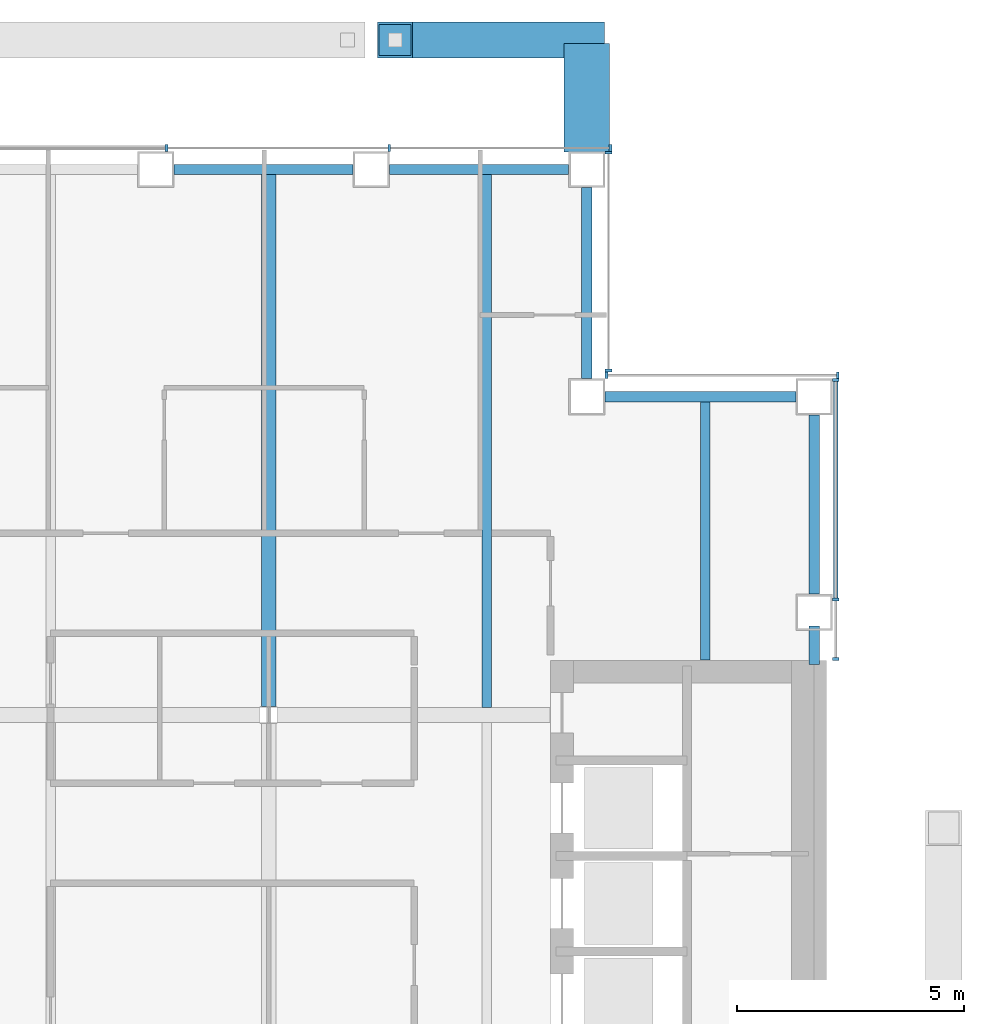
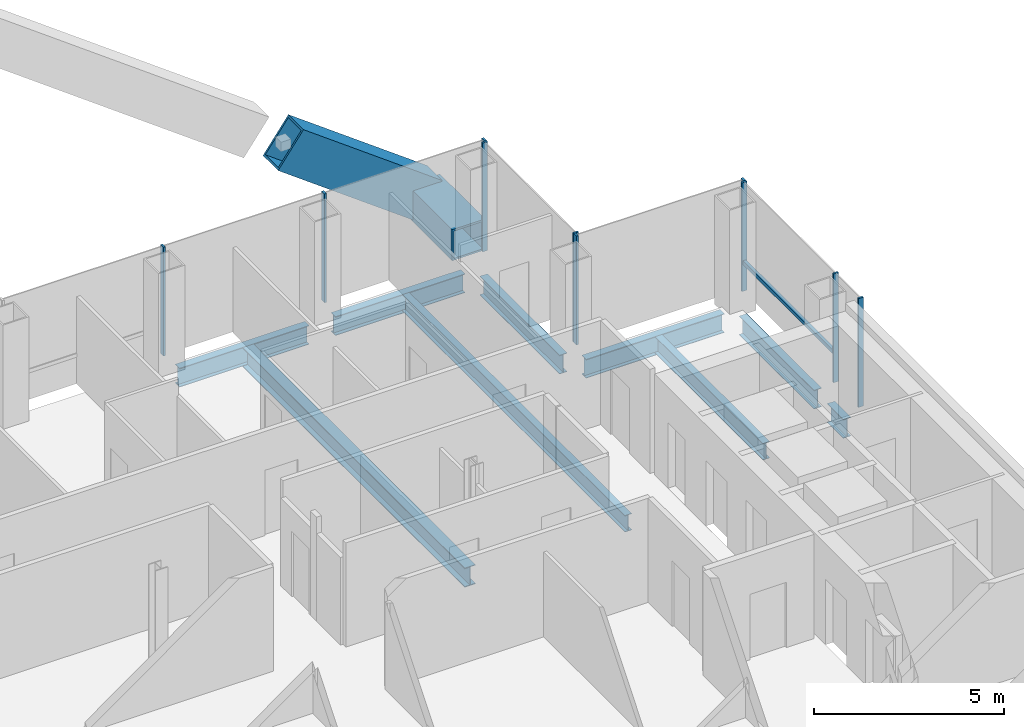
# One storey, part 10 of 18: 12 members, 10 beams, 4 elements without a shape of their own.
"""IFC4 building model written with IfcOpenShell, lengths in metres."""

from ifc_helpers import new_model, si_unit, direction, frame, origin, origin_2d, place, context, subcontext, project, spatial, rectangle, hollow_rectangle, i_section, extrude, material, material_profile, profile_set, type_object, element, aggregate, save


model = new_model("IFC4")

# Units and contexts
model_context = context("Model", 3, precision=1e-05, world=origin(), true_north=direction((0.0, 1.0)))
body_context = subcontext(model_context, "Body", "Model", "MODEL_VIEW")
ifc_project = project(units=[si_unit("LENGTHUNIT", "METRE"), si_unit("AREAUNIT", "SQUARE_METRE"), si_unit("VOLUMEUNIT", "CUBIC_METRE"), si_unit("PLANEANGLEUNIT", "RADIAN"), si_unit("MASSUNIT", "GRAM", prefix="KILO")], contexts=[model_context])

# Site, building, storey
site_placement = place(None, origin())
site = spatial("IfcSite", under=ifc_project, at=site_placement, CompositionType="ELEMENT")
building_placement = place(site_placement, origin())
building = spatial("IfcBuilding", under=site, at=building_placement, Name="Cobrizo Arcos Hotel Tower", CompositionType="ELEMENT")
storey_placement = place(building_placement, frame((0.0, 0.0, 158.5)))
storey = spatial("IfcBuildingStorey", under=building, at=storey_placement, Name="L40", CompositionType="ELEMENT", Elevation=158.5)

# Beam
ifc_material_1 = material(Name="Steel ASTM A572 Grade 50", Category="steel")
ifc_material_profile_1 = material_profile(ifc_material_1, hollow_rectangle(XDim=1.0, YDim=1.0, WallThickness=0.06005859375, at=origin_2d()), Name="BOX 1000X1000X60")
ifc_profile_set_1 = profile_set([ifc_material_profile_1], Name="Steel ASTM A572 Grade 50")
beam_type_1 = type_object("IfcBeamType", Name="BOX 1000X1000X60 brace connector strut", PredefinedType="BEAM", material=ifc_profile_set_1)
beam_1_placement = place(storey_placement, frame((16.60009765625, 21.989990234375, 0.5), z_axis=(0.0, 1.0, 0.0), x_axis=(-1.0, 0.0, 0.0)))
element("IfcBeam", 1, at=beam_1_placement, inside=storey, type_object=beam_type_1, Name="Perimeter brace stub BS1, zone Z3, north face, offset +16.60 m, L40", PredefinedType="BEAM", context=body_context, shape_type="SweptSolid", body=[
    extrude(hollow_rectangle(XDim=1.0, YDim=1.0, WallThickness=0.06005859375, at=origin_2d()), origin(), (0.0, 0.0, 1.0), 2.380126953125),
])

# Member
ifc_material_profile_2 = material_profile(ifc_material_1, hollow_rectangle(XDim=0.800048828125, YDim=1.300048828125, WallThickness=0.06005859375, at=origin_2d()), Name="BOX 800X1300X60")
ifc_profile_set_2 = profile_set([ifc_material_profile_2], Name="Steel ASTM A572 Grade 50")
member_type_1 = type_object("IfcMemberType", Name="BOX 800X1300X60 perimeter brace", PredefinedType="BRACE", material=ifc_profile_set_2)
member_1_placement = place(storey_placement, frame((16.60009765625, 24.449951171875, 0.5), z_axis=(-0.804623858684, 0.0, 0.593784848271), x_axis=(0.0, -1.0, 0.0)))
element("IfcMember", 2, at=member_1_placement, inside=storey, type_object=member_type_1, Name="Perimeter brace PBR3, zone Z3, north face, no. 08", PredefinedType="BRACE", context=body_context, shape_type="SweptSolid", body=[
    extrude(hollow_rectangle(XDim=0.800048828125, YDim=1.300048828125, WallThickness=0.06005859375, at=origin_2d()), origin(), (0.0, 0.0, 1.0), 5.244384765625),
])

# Curtain wall, members
ifc_material_2 = material(Name="Aluminium 6063-T6 anodised bronze", Category="aluminium")
curtain_wall_type = type_object("IfcCurtainWallType", Name="CW-A guest facade", PredefinedType="NOTDEFINED", material=ifc_material_2)
curtain_wall_1_placement = place(storey_placement, origin())
curtain_wall_1 = element("IfcCurtainWall", 3, at=curtain_wall_1_placement, inside=storey, type_object=curtain_wall_type, Name="CW-A L40 E face", PredefinedType="NOTDEFINED")
ifc_material_profile_3 = material_profile(ifc_material_2, rectangle(XDim=0.14990234375, YDim=0.06005859375, at=origin_2d()), Name="CW-A mullion 150x60")
ifc_profile_set_3 = profile_set([ifc_material_profile_3], Name="Aluminium 6063-T6 anodised bronze")
member_type_2 = type_object("IfcMemberType", Name="CW-A mullion 150x60", PredefinedType="MULLION", material=ifc_profile_set_3)
member_2_placement = place(storey_placement, frame((22.074951171875, 10.830078125, 0.0), z_axis=(0.0, 0.0, 1.0), x_axis=(1.0, 0.0, 0.0)))
member_2 = element("IfcMember", 4, at=member_2_placement, type_object=member_type_2, Name="CW-A mullion 1", PredefinedType="MULLION", context=body_context, shape_type="SweptSolid", body=[
    extrude(rectangle(XDim=0.14990234375, YDim=0.06005859375, at=origin_2d()), origin(), (0.0, 0.0, 1.0), 3.5),
])
member_3_placement = place(storey_placement, frame((22.074951171875, 12.142822265625, 0.0), z_axis=(0.0, 0.0, 1.0), x_axis=(1.0, 0.0, 0.0)))
member_3 = element("IfcMember", 5, at=member_3_placement, type_object=member_type_2, Name="CW-A mullion 2", PredefinedType="MULLION", context=body_context, shape_type="SweptSolid", body=[
    extrude(rectangle(XDim=0.14990234375, YDim=0.06005859375, at=origin_2d()), origin(), (0.0, 0.0, 1.0), 3.5),
])
member_4_placement = place(storey_placement, frame((22.074951171875, 16.969970703125, 0.0), z_axis=(0.0, 0.0, 1.0), x_axis=(1.0, 0.0, 0.0)))
member_4 = element("IfcMember", 6, at=member_4_placement, type_object=member_type_2, Name="CW-A mullion 3", PredefinedType="MULLION", context=body_context, shape_type="SweptSolid", body=[
    extrude(rectangle(XDim=0.14990234375, YDim=0.06005859375, at=origin_2d()), origin(), (0.0, 0.0, 1.0), 3.5),
])

curtain_wall_2_placement = place(storey_placement, origin())
curtain_wall_2 = element("IfcCurtainWall", 7, at=curtain_wall_2_placement, inside=storey, type_object=curtain_wall_type, Name="CW-A L40 N face", PredefinedType="NOTDEFINED")
member_5_placement = place(storey_placement, frame((22.1201171875, 17.074951171875, 0.0), z_axis=(0.0, 0.0, 1.0), x_axis=(0.0, 1.0, 0.0)))
member_5 = element("IfcMember", 8, at=member_5_placement, type_object=member_type_2, Name="CW-A mullion 1", PredefinedType="MULLION", context=body_context, shape_type="SweptSolid", body=[
    extrude(rectangle(XDim=0.14990234375, YDim=0.06005859375, at=origin_2d()), origin(), (0.0, 0.0, 1.0), 3.5),
])
member_6_placement = place(storey_placement, frame((17.030029296875, 17.074951171875, 0.0), z_axis=(0.0, 0.0, 1.0), x_axis=(0.0, 1.0, 0.0)))
member_6 = element("IfcMember", 9, at=member_6_placement, type_object=member_type_2, Name="CW-A mullion 2", PredefinedType="MULLION", context=body_context, shape_type="SweptSolid", body=[
    extrude(rectangle(XDim=0.14990234375, YDim=0.06005859375, at=origin_2d()), origin(), (0.0, 0.0, 1.0), 3.5),
])
aggregate(curtain_wall_2, [member_5, member_6])

curtain_wall_3_placement = place(storey_placement, origin())
curtain_wall_3 = element("IfcCurtainWall", 10, at=curtain_wall_3_placement, inside=storey, type_object=curtain_wall_type, Name="CW-A L40 E face", PredefinedType="NOTDEFINED")
member_7_placement = place(storey_placement, frame((17.074951171875, 17.179931640625, 0.0), z_axis=(0.0, 0.0, 1.0), x_axis=(1.0, 0.0, 0.0)))
member_7 = element("IfcMember", 11, at=member_7_placement, type_object=member_type_2, Name="CW-A mullion 1", PredefinedType="MULLION", context=body_context, shape_type="SweptSolid", body=[
    extrude(rectangle(XDim=0.14990234375, YDim=0.06005859375, at=origin_2d()), origin(), (0.0, 0.0, 1.0), 3.5),
])
member_8_placement = place(storey_placement, frame((17.074951171875, 21.969970703125, 0.0), z_axis=(0.0, 0.0, 1.0), x_axis=(1.0, 0.0, 0.0)))
member_8 = element("IfcMember", 12, at=member_8_placement, type_object=member_type_2, Name="CW-A mullion 2", PredefinedType="MULLION", context=body_context, shape_type="SweptSolid", body=[
    extrude(rectangle(XDim=0.14990234375, YDim=0.06005859375, at=origin_2d()), origin(), (0.0, 0.0, 1.0), 3.5),
])
aggregate(curtain_wall_3, [member_7, member_8])

curtain_wall_4_placement = place(storey_placement, origin())
curtain_wall_4 = element("IfcCurtainWall", 13, at=curtain_wall_4_placement, inside=storey, type_object=curtain_wall_type, Name="CW-A L40 N face", PredefinedType="NOTDEFINED")
member_9_placement = place(storey_placement, frame((17.1201171875, 22.074951171875, 0.0), z_axis=(0.0, 0.0, 1.0), x_axis=(0.0, 1.0, 0.0)))
member_9 = element("IfcMember", 14, at=member_9_placement, type_object=member_type_2, Name="CW-A mullion 1", PredefinedType="MULLION", context=body_context, shape_type="SweptSolid", body=[
    extrude(rectangle(XDim=0.14990234375, YDim=0.06005859375, at=origin_2d()), origin(), (0.0, 0.0, 1.0), 3.5),
])
member_10_placement = place(storey_placement, frame((12.25, 22.074951171875, 0.0), z_axis=(0.0, 0.0, 1.0), x_axis=(0.0, 1.0, 0.0)))
member_10 = element("IfcMember", 15, at=member_10_placement, type_object=member_type_2, Name="CW-A mullion 2", PredefinedType="MULLION", context=body_context, shape_type="SweptSolid", body=[
    extrude(rectangle(XDim=0.14990234375, YDim=0.06005859375, at=origin_2d()), origin(), (0.0, 0.0, 1.0), 3.5),
])
member_11_placement = place(storey_placement, frame((7.35009765625, 22.074951171875, 0.0), z_axis=(0.0, 0.0, 1.0), x_axis=(0.0, 1.0, 0.0)))
member_11 = element("IfcMember", 16, at=member_11_placement, type_object=member_type_2, Name="CW-A mullion 3", PredefinedType="MULLION", context=body_context, shape_type="SweptSolid", body=[
    extrude(rectangle(XDim=0.14990234375, YDim=0.06005859375, at=origin_2d()), origin(), (0.0, 0.0, 1.0), 3.5),
])
aggregate(curtain_wall_4, [member_9, member_10, member_11])

# Member
ifc_material_profile_4 = material_profile(ifc_material_2, rectangle(XDim=0.10009765625, YDim=0.1201171875, at=origin_2d()), Name="CW-A transom 120x100")
ifc_profile_set_4 = profile_set([ifc_material_profile_4], Name="Aluminium 6063-T6 anodised bronze")
member_type_3 = type_object("IfcMemberType", Name="CW-A transom 120x100", PredefinedType="USERDEFINED", material=ifc_profile_set_4)
member_12_placement = place(storey_placement, frame((22.074951171875, 12.1728515625, 0.929931640625), z_axis=(0.0, 1.0, 0.0), x_axis=(-1.0, 0.0, 0.0)))
member_12 = element("IfcMember", 17, at=member_12_placement, type_object=member_type_3, Name="CW-A transom 1438", ObjectType="TRANSOM", PredefinedType="USERDEFINED", context=body_context, shape_type="SweptSolid", body=[
    extrude(rectangle(XDim=0.10009765625, YDim=0.1201171875, at=origin_2d()), origin(), (0.0, 0.0, 1.0), 4.76708984375),
])

aggregate(curtain_wall_1, [member_2, member_3, member_4, member_12])

# Beams
ifc_material_3 = material(Name="Steel ASTM A992 Grade 50", Category="steel")
ifc_material_profile_5 = material_profile(ifc_material_3, i_section(OverallWidth=0.209228515625, OverallDepth=0.533447265625, WebThickness=0.01025390625, FlangeThickness=0.015625, at=origin_2d()), Name="W21X62")
ifc_profile_set_5 = profile_set([ifc_material_profile_5], Name="Steel ASTM A992 Grade 50")
beam_type_2 = type_object("IfcBeamType", Name="W21X62 joist", PredefinedType="JOIST", material=ifc_profile_set_5)
beam_2_placement = place(storey_placement, frame((14.39990234375, 9.763916015625, -0.416748046875), z_axis=(0.0, 1.0, 0.0), x_axis=(-1.0, 0.0, 0.0)))
element("IfcBeam", 18, at=beam_2_placement, inside=storey, type_object=beam_type_2, Name="Floor joist J1, L40, no. 018", PredefinedType="JOIST", context=body_context, shape_type="SweptSolid", body=[
    extrude(i_section(OverallWidth=0.209228515625, OverallDepth=0.533447265625, WebThickness=0.01025390625, FlangeThickness=0.015625, at=origin_2d()), origin(), (0.0, 0.0, 1.0), 11.74609375),
])
beam_3_placement = place(storey_placement, frame((19.199951171875, 10.81005859375, -0.416748046875), z_axis=(0.0, 1.0, 0.0), x_axis=(-1.0, 0.0, 0.0)))
element("IfcBeam", 19, at=beam_3_placement, inside=storey, type_object=beam_type_2, Name="Floor joist J1, L40, no. 020", PredefinedType="JOIST", context=body_context, shape_type="SweptSolid", body=[
    extrude(i_section(OverallWidth=0.209228515625, OverallDepth=0.533447265625, WebThickness=0.01025390625, FlangeThickness=0.015625, at=origin_2d()), origin(), (0.0, 0.0, 1.0), 5.699951171875),
])
ifc_material_profile_6 = material_profile(ifc_material_3, i_section(OverallWidth=0.32763671875, OverallDepth=0.622314453125, WebThickness=0.015380859375, FlangeThickness=0.0244140625, at=origin_2d()), Name="W24X131")
ifc_profile_set_6 = profile_set([ifc_material_profile_6], Name="Steel ASTM A992 Grade 50")
beam_type_3 = type_object("IfcBeamType", Name="W24X131 girder", PredefinedType="BEAM", material=ifc_profile_set_6)
beam_4_placement = place(storey_placement, frame((9.60009765625, 9.78662109375, -0.461181640625), z_axis=(0.0, 1.0, 0.0), x_axis=(-1.0, 0.0, 0.0)))
element("IfcBeam", 20, at=beam_4_placement, inside=storey, type_object=beam_type_3, Name="Floor girder G1, L40, no. 024", PredefinedType="BEAM", context=body_context, shape_type="SweptSolid", body=[
    extrude(i_section(OverallWidth=0.32763671875, OverallDepth=0.622314453125, WebThickness=0.015380859375, FlangeThickness=0.0244140625, at=origin_2d()), origin(), (0.0, 0.0, 1.0), 11.723388671875),
])
ifc_material_profile_7 = material_profile(ifc_material_3, i_section(OverallWidth=0.228271484375, OverallDepth=0.607177734375, WebThickness=0.01123046875, FlangeThickness=0.017333984375, at=origin_2d()), Name="W24X76")
ifc_profile_set_7 = profile_set([ifc_material_profile_7], Name="Steel ASTM A992 Grade 50")
beam_type_4 = type_object("IfcBeamType", Name="W24X76 spandrel", PredefinedType="SPANDREL", material=ifc_profile_set_7)
beam_5_placement = place(storey_placement, frame((21.60009765625, 10.7099609375, -0.45361328125), z_axis=(0.0, 1.0, 0.0), x_axis=(-1.0, 0.0, 0.0)))
element("IfcBeam", 21, at=beam_5_placement, inside=storey, type_object=beam_type_4, Name="Spandrel beam W24X76, L40, no. 012", PredefinedType="SPANDREL", context=body_context, shape_type="SweptSolid", body=[
    extrude(i_section(OverallWidth=0.228271484375, OverallDepth=0.607177734375, WebThickness=0.01123046875, FlangeThickness=0.017333984375, at=origin_2d()), origin(), (0.0, 0.0, 1.0), 0.846923828125),
])
beam_6_placement = place(storey_placement, frame((21.60009765625, 12.257080078125, -0.45361328125), z_axis=(0.0, 1.0, 0.0), x_axis=(-1.0, 0.0, 0.0)))
element("IfcBeam", 22, at=beam_6_placement, inside=storey, type_object=beam_type_4, Name="Spandrel beam W24X76, L40, no. 013", PredefinedType="SPANDREL", context=body_context, shape_type="SweptSolid", body=[
    extrude(i_section(OverallWidth=0.228271484375, OverallDepth=0.607177734375, WebThickness=0.01123046875, FlangeThickness=0.017333984375, at=origin_2d()), origin(), (0.0, 0.0, 1.0), 3.94287109375),
])
for number, where, z_axis, x_axis, name in (
    (23, (21.199951171875, 16.60009765625, -0.45361328125), (-1.0, 0.0, 0.0), (0.0, -1.0, 0.0), "Spandrel beam W24X76, L40, no. 014"),
    (24, (16.60009765625, 17.0, -0.45361328125), (0.0, 1.0, 0.0), (-1.0, 0.0, 0.0), "Spandrel beam W24X76, L40, no. 015"),
):
    element("IfcBeam", number, at=place(storey_placement, frame(where, z_axis=z_axis, x_axis=x_axis)), inside=storey, type_object=beam_type_4, Name=name, PredefinedType="SPANDREL", context=body_context, shape_type="SweptSolid", body=[
        extrude(i_section(OverallWidth=0.228271484375, OverallDepth=0.607177734375, WebThickness=0.01123046875, FlangeThickness=0.017333984375, at=origin_2d()), origin(), (0.0, 0.0, 1.0), 4.199951171875),
    ])
beam_7_placement = place(storey_placement, frame((16.199951171875, 21.60009765625, -0.45361328125), z_axis=(-1.0, 0.0, 0.0), x_axis=(0.0, -1.0, 0.0)))
element("IfcBeam", 25, at=beam_7_placement, inside=storey, type_object=beam_type_4, Name="Spandrel beam W24X76, L40, no. 016", PredefinedType="SPANDREL", context=body_context, shape_type="SweptSolid", body=[
    extrude(i_section(OverallWidth=0.228271484375, OverallDepth=0.607177734375, WebThickness=0.01123046875, FlangeThickness=0.017333984375, at=origin_2d()), origin(), (0.0, 0.0, 1.0), 3.94287109375),
])
beam_8_placement = place(storey_placement, frame((11.45703125, 21.60009765625, -0.45361328125), z_axis=(-1.0, 0.0, 0.0), x_axis=(0.0, -1.0, 0.0)))
element("IfcBeam", 26, at=beam_8_placement, inside=storey, type_object=beam_type_4, Name="Spandrel beam W24X76, L40, no. 017", PredefinedType="SPANDREL", context=body_context, shape_type="SweptSolid", body=[
    extrude(i_section(OverallWidth=0.228271484375, OverallDepth=0.607177734375, WebThickness=0.01123046875, FlangeThickness=0.017333984375, at=origin_2d()), origin(), (0.0, 0.0, 1.0), 3.943115234375),
])

save(model, "model.ifc")
